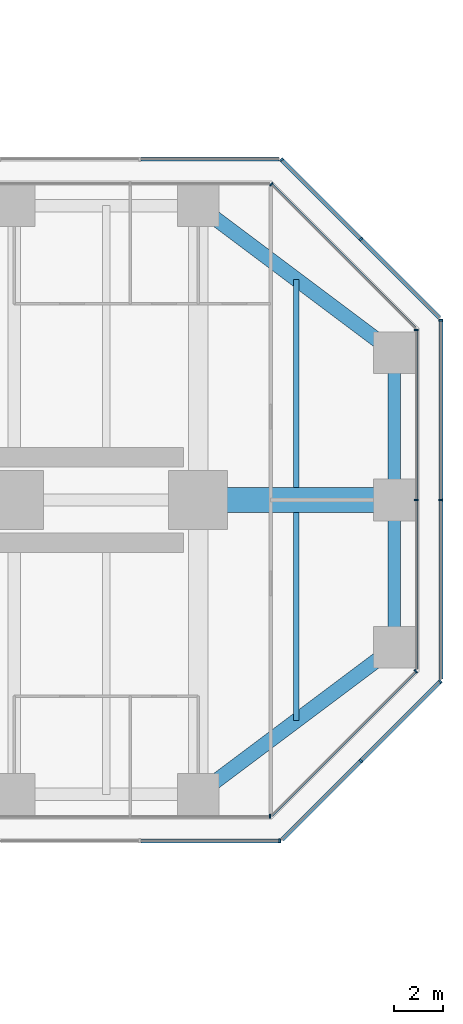
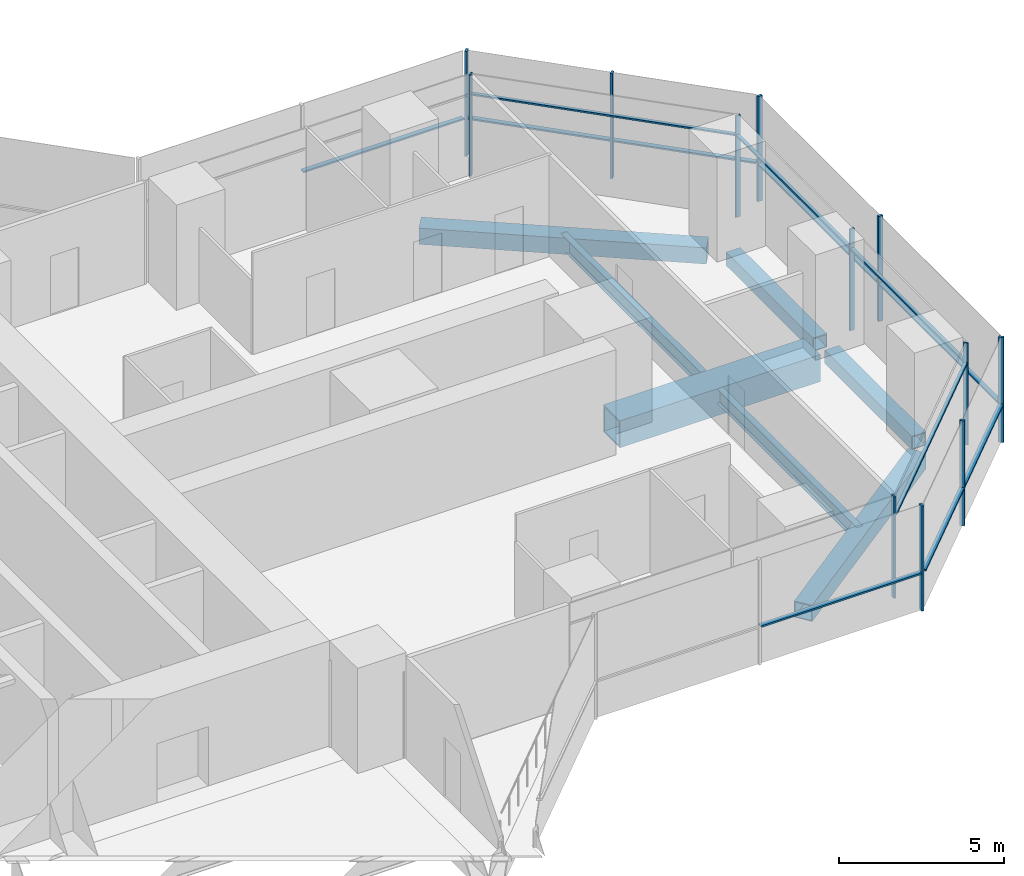
# One storey, part 11 of 20: 24 members, 7 beams, 9 elements without a shape of their own.
"""IFC4 building model written with IfcOpenShell, lengths in metres."""

from ifc_helpers import new_model, si_unit, direction, frame, origin, origin_2d, place, context, subcontext, project, spatial, rectangle, hollow_rectangle, i_section, extrude, material, material_profile, profile_set, type_object, element, aggregate, save


model = new_model("IFC4")

# Units and contexts
model_context = context("Model", 3, precision=1e-05, world=origin(), true_north=direction((0.0, 1.0)))
body_context = subcontext(model_context, "Body", "Model", "MODEL_VIEW")
ifc_project = project(units=[si_unit("LENGTHUNIT", "METRE"), si_unit("AREAUNIT", "SQUARE_METRE"), si_unit("VOLUMEUNIT", "CUBIC_METRE"), si_unit("PLANEANGLEUNIT", "RADIAN"), si_unit("MASSUNIT", "GRAM", prefix="KILO")], contexts=[model_context])

# Site, building, storey
site_placement = place(None, origin())
site = spatial("IfcSite", under=ifc_project, at=site_placement, CompositionType="ELEMENT")
building_placement = place(site_placement, origin())
building = spatial("IfcBuilding", under=site, at=building_placement, Name="Mizan Broadcast Tower", CompositionType="ELEMENT")
storey_placement = place(building_placement, frame((0.0, 0.0, 155.39990234375)))
storey = spatial("IfcBuildingStorey", under=building, at=storey_placement, Name="L35", CompositionType="ELEMENT", Elevation=155.39990234375)

# Beams
ifc_material_1 = material(Name="Steel S355", Category="steel")
ifc_material_profile_1 = material_profile(ifc_material_1, hollow_rectangle(XDim=0.5, YDim=0.5, WallThickness=0.030029296875, at=origin_2d()), Name="BOX 500x500x30")
ifc_profile_set_1 = profile_set([ifc_material_profile_1], Name="Steel S355")
beam_type_1 = type_object("IfcBeamType", Name="EDGE BEAM BOX 500x500x30", PredefinedType="SPANDREL", material=ifc_profile_set_1)
for number, where, z_axis, x_axis, name in (
    (1, (35.0, -5.639892578125, -0.3798828125), (0.0, 1.0, 0.0), (-1.0, 0.0, 0.0), "Edge beam BOX 500x500x30 L35 east arm"),
    (2, (35.0, 5.639892578125, -0.3798828125), (0.0, -1.0, 0.0), (1.0, 0.0, 0.0), "Edge beam BOX 500x500x30 L35 east arm"),
):
    element("IfcBeam", number, at=place(storey_placement, frame(where, z_axis=z_axis, x_axis=x_axis)), inside=storey, type_object=beam_type_1, Name=name, PredefinedType="SPANDREL", context=body_context, shape_type="SweptSolid", body=[
        extrude(hollow_rectangle(XDim=0.5, YDim=0.5, WallThickness=0.030029296875, at=origin_2d()), origin(), (0.0, 0.0, 1.0), 5.27978515625),
    ])
ifc_material_2 = material(Name="Steel S355", Category="steel")
ifc_material_profile_2 = material_profile(ifc_material_2, hollow_rectangle(XDim=0.60009765625, YDim=0.60009765625, WallThickness=0.030029296875, at=origin_2d()), Name="BOX 600x600x30")
ifc_profile_set_2 = profile_set([ifc_material_profile_2], Name="Steel S355")
beam_type_2 = type_object("IfcBeamType", Name="EDGE BEAM BOX 600x600x30", PredefinedType="SPANDREL", material=ifc_profile_set_2)
for number, where, z_axis, x_axis, name in (
    (3, (27.47998046875, -11.639892578125, -0.429931640625), (0.800013316712, 0.599982243973, 0.0), (-0.599982243973, 0.800013316712, 0.0), "Edge beam BOX 600x600x30 L35 east arm"),
    (4, (27.47998046875, 11.639892578125, -0.429931640625), (0.800013316712, -0.599982243973, 0.0), (0.599982243973, 0.800013316712, 0.0), "Edge beam BOX 600x600x30 L35 east arm"),
):
    element("IfcBeam", number, at=place(storey_placement, frame(where, z_axis=z_axis, x_axis=x_axis)), inside=storey, type_object=beam_type_2, Name=name, PredefinedType="SPANDREL", context=body_context, shape_type="SweptSolid", body=[
        extrude(hollow_rectangle(XDim=0.60009765625, YDim=0.60009765625, WallThickness=0.030029296875, at=origin_2d()), origin(), (0.0, 0.0, 1.0), 8.7998046875),
    ])
ifc_material_3 = material(Name="Steel S460", Category="steel")
ifc_material_profile_3 = material_profile(ifc_material_3, hollow_rectangle(XDim=1.0, YDim=1.0, WallThickness=0.06005859375, at=origin_2d()), Name="BOX 1000x1000x60")
ifc_profile_set_3 = profile_set([ifc_material_profile_3], Name="Steel S460")
beam_type_3 = type_object("IfcBeamType", Name="GIRDER BOX 1000x1000x60", PredefinedType="BEAM", material=ifc_profile_set_3)
beam_placement = place(storey_placement, frame((27.47998046875, 0.0, -0.6298828125), z_axis=(1.0, 0.0, 0.0), x_axis=(0.0, 1.0, 0.0)))
element("IfcBeam", 5, at=beam_placement, inside=storey, type_object=beam_type_3, Name="Girder BOX 1000x1000x60 L35 east arm", PredefinedType="BEAM", context=body_context, shape_type="SweptSolid", body=[
    extrude(hollow_rectangle(XDim=1.0, YDim=1.0, WallThickness=0.06005859375, at=origin_2d()), origin(), (0.0, 0.0, 1.0), 7.0400390625),
])

# Curtain wall, member
ifc_material_4 = material(Name="Aluminium framed glazing", Category="aluminium")
curtain_wall_type_1 = type_object("IfcCurtainWallType", Name="INNER SKIN MID ZONE", PredefinedType="USERDEFINED", material=ifc_material_4)
curtain_wall_1_placement = place(storey_placement, origin())
curtain_wall_1 = element("IfcCurtainWall", 6, at=curtain_wall_1_placement, inside=storey, type_object=curtain_wall_type_1, Name="Inner skin mid zone L35 E side", ObjectType="INNER SKIN MID ZONE", PredefinedType="USERDEFINED")
ifc_material_5 = material(Name="Aluminium, pale anodised", Category="aluminium")
ifc_material_profile_4 = material_profile(ifc_material_5, rectangle(XDim=0.159912109375, YDim=0.06005859375, at=origin_2d()), Name="MULLION 160x60")
ifc_profile_set_4 = profile_set([ifc_material_profile_4], Name="Aluminium, pale anodised")
member_type_1 = type_object("IfcMemberType", Name="INNER SKIN MULLION 60x160", PredefinedType="MULLION", material=ifc_profile_set_4)
member_1_placement = place(storey_placement, frame((29.928466796875, -12.89990234375, 0.0), z_axis=(0.0, 0.0, 1.0), x_axis=(0.0, 1.0, 0.0)))
member_1 = element("IfcMember", 7, at=member_1_placement, type_object=member_type_1, Name="Inner skin mid zone L35 E side mullion 3", PredefinedType="MULLION", context=body_context, shape_type="SweptSolid", body=[
    extrude(rectangle(XDim=0.159912109375, YDim=0.06005859375, at=origin_2d()), origin(), (0.0, 0.0, 1.0), 3.77001953125),
])
aggregate(curtain_wall_1, [member_1])

curtain_wall_2_placement = place(storey_placement, origin())
curtain_wall_2 = element("IfcCurtainWall", 8, at=curtain_wall_2_placement, inside=storey, type_object=curtain_wall_type_1, Name="Inner skin mid zone L35 E chamfer", ObjectType="INNER SKIN MID ZONE", PredefinedType="USERDEFINED")
member_2_placement = place(storey_placement, frame((35.87890625, -6.979736328125, 0.0), z_axis=(0.0, 0.0, 1.0), x_axis=(-0.707106781187, 0.707106781187, 0.0)))
member_2 = element("IfcMember", 9, at=member_2_placement, type_object=member_type_1, Name="Inner skin mid zone L35 E chamfer mullion 2", PredefinedType="MULLION", context=body_context, shape_type="SweptSolid", body=[
    extrude(rectangle(XDim=0.159912109375, YDim=0.06005859375, at=origin_2d()), origin(), (0.0, 0.0, 1.0), 3.77001953125),
])

# Curtain wall, members
curtain_wall_3_placement = place(storey_placement, origin())
curtain_wall_3 = element("IfcCurtainWall", 10, at=curtain_wall_3_placement, inside=storey, type_object=curtain_wall_type_1, Name="Inner skin mid zone L35 E end", ObjectType="INNER SKIN MID ZONE", PredefinedType="USERDEFINED")
member_3_placement = place(storey_placement, frame((35.89990234375, 0.0, 0.0), z_axis=(0.0, 0.0, 1.0), x_axis=(-1.0, 0.0, 0.0)))
member_3 = element("IfcMember", 11, at=member_3_placement, type_object=member_type_1, Name="Inner skin mid zone L35 E end mullion 2", PredefinedType="MULLION", context=body_context, shape_type="SweptSolid", body=[
    extrude(rectangle(XDim=0.159912109375, YDim=0.06005859375, at=origin_2d()), origin(), (0.0, 0.0, 1.0), 3.77001953125),
])
member_4_placement = place(storey_placement, frame((35.89990234375, 6.928466796875, 0.0), z_axis=(0.0, 0.0, 1.0), x_axis=(-1.0, 0.0, 0.0)))
member_4 = element("IfcMember", 12, at=member_4_placement, type_object=member_type_1, Name="Inner skin mid zone L35 E end mullion 3", PredefinedType="MULLION", context=body_context, shape_type="SweptSolid", body=[
    extrude(rectangle(XDim=0.159912109375, YDim=0.06005859375, at=origin_2d()), origin(), (0.0, 0.0, 1.0), 3.77001953125),
])

# Curtain wall, member
curtain_wall_4_placement = place(storey_placement, origin())
curtain_wall_4 = element("IfcCurtainWall", 13, at=curtain_wall_4_placement, inside=storey, type_object=curtain_wall_type_1, Name="Inner skin mid zone L35 E chamfer", ObjectType="INNER SKIN MID ZONE", PredefinedType="USERDEFINED")
member_5_placement = place(storey_placement, frame((29.979736328125, 12.87890625, 0.0), z_axis=(0.0, 0.0, 1.0), x_axis=(-0.707106781187, -0.707106781187, 0.0)))
member_5 = element("IfcMember", 14, at=member_5_placement, type_object=member_type_1, Name="Inner skin mid zone L35 E chamfer mullion 2", PredefinedType="MULLION", context=body_context, shape_type="SweptSolid", body=[
    extrude(rectangle(XDim=0.159912109375, YDim=0.06005859375, at=origin_2d()), origin(), (0.0, 0.0, 1.0), 3.77001953125),
])

# Member
ifc_material_6 = material(Name="Aluminium, pale anodised", Category="aluminium")
ifc_material_profile_5 = material_profile(ifc_material_6, rectangle(XDim=0.1201171875, YDim=0.06005859375, at=origin_2d()), Name="TRANSOM 120x60")
ifc_profile_set_5 = profile_set([ifc_material_profile_5], Name="Aluminium, pale anodised")
member_type_2 = type_object("IfcMemberType", Name="INNER SKIN TRANSOM 60x120", PredefinedType="USERDEFINED", material=ifc_profile_set_5)
member_6_placement = place(storey_placement, frame((30.0009765625, -12.857666015625, 3.030029296875), z_axis=(0.707106781187, 0.707106781187, 0.0), x_axis=(-0.707106781187, 0.707106781187, 0.0)))
member_6 = element("IfcMember", 15, at=member_6_placement, type_object=member_type_2, Name="Inner skin mid zone L35 E chamfer transom 1.1", ObjectType="TRANSOM", PredefinedType="USERDEFINED", context=body_context, shape_type="SweptSolid", body=[
    extrude(rectangle(XDim=0.1201171875, YDim=0.06005859375, at=origin_2d()), origin(), (0.0, 0.0, 1.0), 8.28271484375),
])

aggregate(curtain_wall_2, [member_2, member_6])

member_7_placement = place(storey_placement, frame((35.89990234375, -6.898681640625, 3.030029296875), z_axis=(0.0, 1.0, 0.0), x_axis=(-1.0, 0.0, 0.0)))
member_7 = element("IfcMember", 16, at=member_7_placement, type_object=member_type_2, Name="Inner skin mid zone L35 E end transom 1.1", ObjectType="TRANSOM", PredefinedType="USERDEFINED", context=body_context, shape_type="SweptSolid", body=[
    extrude(rectangle(XDim=0.1201171875, YDim=0.06005859375, at=origin_2d()), origin(), (0.0, 0.0, 1.0), 6.86865234375),
])

member_8_placement = place(storey_placement, frame((35.89990234375, 0.030029296875, 3.030029296875), z_axis=(0.0, 1.0, 0.0), x_axis=(-1.0, 0.0, 0.0)))
member_8 = element("IfcMember", 17, at=member_8_placement, type_object=member_type_2, Name="Inner skin mid zone L35 E end transom 2.1", ObjectType="TRANSOM", PredefinedType="USERDEFINED", context=body_context, shape_type="SweptSolid", body=[
    extrude(rectangle(XDim=0.1201171875, YDim=0.06005859375, at=origin_2d()), origin(), (0.0, 0.0, 1.0), 6.86865234375),
])

aggregate(curtain_wall_3, [member_3, member_4, member_7, member_8])

member_9_placement = place(storey_placement, frame((35.857666015625, 7.0009765625, 3.030029296875), z_axis=(-0.707106781187, 0.707106781187, 0.0), x_axis=(-0.707106781187, -0.707106781187, 0.0)))
member_9 = element("IfcMember", 18, at=member_9_placement, type_object=member_type_2, Name="Inner skin mid zone L35 E chamfer transom 1.1", ObjectType="TRANSOM", PredefinedType="USERDEFINED", context=body_context, shape_type="SweptSolid", body=[
    extrude(rectangle(XDim=0.1201171875, YDim=0.06005859375, at=origin_2d()), origin(), (0.0, 0.0, 1.0), 8.28271484375),
])

aggregate(curtain_wall_4, [member_5, member_9])

# Curtain wall, members
ifc_material_7 = material(Name="Aluminium framed glazing", Category="aluminium")
curtain_wall_type_2 = type_object("IfcCurtainWallType", Name="OUTER SKIN", PredefinedType="USERDEFINED", material=ifc_material_7)
curtain_wall_5_placement = place(storey_placement, origin())
curtain_wall_5 = element("IfcCurtainWall", 19, at=curtain_wall_5_placement, inside=storey, type_object=curtain_wall_type_2, Name="Outer skin L35 E chamfer", ObjectType="OUTER SKIN", PredefinedType="USERDEFINED")
ifc_material_8 = material(Name="Aluminium, pale anodised", Category="aluminium")
ifc_material_profile_6 = material_profile(ifc_material_8, rectangle(XDim=0.159912109375, YDim=0.080078125, at=origin_2d()), Name="MULLION 160x80")
ifc_profile_set_6 = profile_set([ifc_material_profile_6], Name="Aluminium, pale anodised")
member_type_3 = type_object("IfcMemberType", Name="OUTER SKIN MULLION 80x160", PredefinedType="MULLION", material=ifc_profile_set_6)
member_10_placement = place(storey_placement, frame((33.636474609375, -10.636474609375, 0.0), z_axis=(0.0, 0.0, 1.0), x_axis=(-0.707106781187, 0.707106781187, 0.0)))
member_10 = element("IfcMember", 20, at=member_10_placement, type_object=member_type_3, Name="Outer skin L35 E chamfer mullion 2", PredefinedType="MULLION", context=body_context, shape_type="SweptSolid", body=[
    extrude(rectangle(XDim=0.159912109375, YDim=0.080078125, at=origin_2d()), origin(), (0.0, 0.0, 1.0), 3.900146484375),
])
member_11_placement = place(storey_placement, frame((36.871826171875, -7.401123046875, 0.0), z_axis=(0.0, 0.0, 1.0), x_axis=(-0.707106781187, 0.707106781187, 0.0)))
member_11 = element("IfcMember", 21, at=member_11_placement, type_object=member_type_3, Name="Outer skin L35 E chamfer mullion 3", PredefinedType="MULLION", context=body_context, shape_type="SweptSolid", body=[
    extrude(rectangle(XDim=0.159912109375, YDim=0.080078125, at=origin_2d()), origin(), (0.0, 0.0, 1.0), 3.900146484375),
])

curtain_wall_6_placement = place(storey_placement, origin())
curtain_wall_6 = element("IfcCurtainWall", 22, at=curtain_wall_6_placement, inside=storey, type_object=curtain_wall_type_2, Name="Outer skin L35 E end", ObjectType="OUTER SKIN", PredefinedType="USERDEFINED")
member_12_placement = place(storey_placement, frame((36.89990234375, 0.0, 0.0), z_axis=(0.0, 0.0, 1.0), x_axis=(-1.0, 0.0, 0.0)))
member_12 = element("IfcMember", 23, at=member_12_placement, type_object=member_type_3, Name="Outer skin L35 E end mullion 2", PredefinedType="MULLION", context=body_context, shape_type="SweptSolid", body=[
    extrude(rectangle(XDim=0.159912109375, YDim=0.080078125, at=origin_2d()), origin(), (0.0, 0.0, 1.0), 3.900146484375),
])
member_13_placement = place(storey_placement, frame((36.89990234375, 7.332763671875, 0.0), z_axis=(0.0, 0.0, 1.0), x_axis=(-1.0, 0.0, 0.0)))
member_13 = element("IfcMember", 24, at=member_13_placement, type_object=member_type_3, Name="Outer skin L35 E end mullion 3", PredefinedType="MULLION", context=body_context, shape_type="SweptSolid", body=[
    extrude(rectangle(XDim=0.159912109375, YDim=0.080078125, at=origin_2d()), origin(), (0.0, 0.0, 1.0), 3.900146484375),
])

curtain_wall_7_placement = place(storey_placement, origin())
curtain_wall_7 = element("IfcCurtainWall", 25, at=curtain_wall_7_placement, inside=storey, type_object=curtain_wall_type_2, Name="Outer skin L35 E chamfer", ObjectType="OUTER SKIN", PredefinedType="USERDEFINED")
member_14_placement = place(storey_placement, frame((33.636474609375, 10.636474609375, 0.0), z_axis=(0.0, 0.0, 1.0), x_axis=(-0.707106781187, -0.707106781187, 0.0)))
member_14 = element("IfcMember", 26, at=member_14_placement, type_object=member_type_3, Name="Outer skin L35 E chamfer mullion 2", PredefinedType="MULLION", context=body_context, shape_type="SweptSolid", body=[
    extrude(rectangle(XDim=0.159912109375, YDim=0.080078125, at=origin_2d()), origin(), (0.0, 0.0, 1.0), 3.900146484375),
])
member_15_placement = place(storey_placement, frame((30.401123046875, 13.871826171875, 0.0), z_axis=(0.0, 0.0, 1.0), x_axis=(-0.707106781187, -0.707106781187, 0.0)))
member_15 = element("IfcMember", 27, at=member_15_placement, type_object=member_type_3, Name="Outer skin L35 E chamfer mullion 3", PredefinedType="MULLION", context=body_context, shape_type="SweptSolid", body=[
    extrude(rectangle(XDim=0.159912109375, YDim=0.080078125, at=origin_2d()), origin(), (0.0, 0.0, 1.0), 3.900146484375),
])

# Curtain wall, member
curtain_wall_8_placement = place(storey_placement, origin())
curtain_wall_8 = element("IfcCurtainWall", 28, at=curtain_wall_8_placement, inside=storey, type_object=curtain_wall_type_2, Name="Outer skin L35 E side", ObjectType="OUTER SKIN", PredefinedType="USERDEFINED")
member_16_placement = place(storey_placement, frame((30.332763671875, -13.89990234375, 0.0), z_axis=(0.0, 0.0, 1.0), x_axis=(0.0, 1.0, 0.0)))
member_16 = element("IfcMember", 29, at=member_16_placement, type_object=member_type_3, Name="Outer skin L35 E side mullion 3", PredefinedType="MULLION", context=body_context, shape_type="SweptSolid", body=[
    extrude(rectangle(XDim=0.159912109375, YDim=0.080078125, at=origin_2d()), origin(), (0.0, 0.0, 1.0), 3.900146484375),
])

# Member
ifc_material_9 = material(Name="Aluminium, pale anodised", Category="aluminium")
ifc_material_profile_7 = material_profile(ifc_material_9, rectangle(XDim=0.159912109375, YDim=0.06005859375, at=origin_2d()), Name="TRANSOM 160x60")
ifc_profile_set_7 = profile_set([ifc_material_profile_7], Name="Aluminium, pale anodised")
member_type_4 = type_object("IfcMemberType", Name="OUTER SKIN TRANSOM 60x160", PredefinedType="USERDEFINED", material=ifc_profile_set_7)
member_17_placement = place(storey_placement, frame((30.429443359375, -13.843505859375, 1.400146484375), z_axis=(0.707106781187, 0.707106781187, 0.0), x_axis=(-0.707106781187, 0.707106781187, 0.0)))
member_17 = element("IfcMember", 30, at=member_17_placement, type_object=member_type_4, Name="Outer skin L35 E chamfer transom 1.1", ObjectType="TRANSOM", PredefinedType="USERDEFINED", context=body_context, shape_type="SweptSolid", body=[
    extrude(rectangle(XDim=0.159912109375, YDim=0.06005859375, at=origin_2d()), origin(), (0.0, 0.0, 1.0), 4.495361328125),
])

member_18_placement = place(storey_placement, frame((33.664794921875, -10.608154296875, 1.400146484375), z_axis=(0.707106781187, 0.707106781187, 0.0), x_axis=(-0.707106781187, 0.707106781187, 0.0)))
member_18 = element("IfcMember", 31, at=member_18_placement, type_object=member_type_4, Name="Outer skin L35 E chamfer transom 2.1", ObjectType="TRANSOM", PredefinedType="USERDEFINED", context=body_context, shape_type="SweptSolid", body=[
    extrude(rectangle(XDim=0.159912109375, YDim=0.06005859375, at=origin_2d()), origin(), (0.0, 0.0, 1.0), 4.495361328125),
])

aggregate(curtain_wall_5, [member_10, member_11, member_17, member_18])

member_19_placement = place(storey_placement, frame((36.89990234375, -7.292724609375, 1.400146484375), z_axis=(0.0, 1.0, 0.0), x_axis=(-1.0, 0.0, 0.0)))
member_19 = element("IfcMember", 32, at=member_19_placement, type_object=member_type_4, Name="Outer skin L35 E end transom 1.1", ObjectType="TRANSOM", PredefinedType="USERDEFINED", context=body_context, shape_type="SweptSolid", body=[
    extrude(rectangle(XDim=0.159912109375, YDim=0.06005859375, at=origin_2d()), origin(), (0.0, 0.0, 1.0), 7.252685546875),
])

member_20_placement = place(storey_placement, frame((36.89990234375, 0.0400390625, 1.400146484375), z_axis=(0.0, 1.0, 0.0), x_axis=(-1.0, 0.0, 0.0)))
member_20 = element("IfcMember", 33, at=member_20_placement, type_object=member_type_4, Name="Outer skin L35 E end transom 2.1", ObjectType="TRANSOM", PredefinedType="USERDEFINED", context=body_context, shape_type="SweptSolid", body=[
    extrude(rectangle(XDim=0.159912109375, YDim=0.06005859375, at=origin_2d()), origin(), (0.0, 0.0, 1.0), 7.252685546875),
])

aggregate(curtain_wall_6, [member_12, member_13, member_19, member_20])

member_21_placement = place(storey_placement, frame((36.843505859375, 7.429443359375, 1.400146484375), z_axis=(-0.707106781187, 0.707106781187, 0.0), x_axis=(-0.707106781187, -0.707106781187, 0.0)))
member_21 = element("IfcMember", 34, at=member_21_placement, type_object=member_type_4, Name="Outer skin L35 E chamfer transom 1.1", ObjectType="TRANSOM", PredefinedType="USERDEFINED", context=body_context, shape_type="SweptSolid", body=[
    extrude(rectangle(XDim=0.159912109375, YDim=0.06005859375, at=origin_2d()), origin(), (0.0, 0.0, 1.0), 4.495361328125),
])

member_22_placement = place(storey_placement, frame((33.608154296875, 10.664794921875, 1.400146484375), z_axis=(-0.707106781187, 0.707106781187, 0.0), x_axis=(-0.707106781187, -0.707106781187, 0.0)))
member_22 = element("IfcMember", 35, at=member_22_placement, type_object=member_type_4, Name="Outer skin L35 E chamfer transom 2.1", ObjectType="TRANSOM", PredefinedType="USERDEFINED", context=body_context, shape_type="SweptSolid", body=[
    extrude(rectangle(XDim=0.159912109375, YDim=0.06005859375, at=origin_2d()), origin(), (0.0, 0.0, 1.0), 4.495361328125),
])

aggregate(curtain_wall_7, [member_14, member_15, member_21, member_22])

# Curtain wall, member
curtain_wall_9_placement = place(storey_placement, origin())
curtain_wall_9 = element("IfcCurtainWall", 36, at=curtain_wall_9_placement, inside=storey, type_object=curtain_wall_type_2, Name="Outer skin L35 E side", ObjectType="OUTER SKIN", PredefinedType="USERDEFINED")
member_23_placement = place(storey_placement, frame((30.292724609375, 13.89990234375, 1.400146484375), z_axis=(-1.0, 0.0, 0.0), x_axis=(0.0, -1.0, 0.0)))
member_23 = element("IfcMember", 37, at=member_23_placement, type_object=member_type_4, Name="Outer skin L35 E side transom 1.1", ObjectType="TRANSOM", PredefinedType="USERDEFINED", context=body_context, shape_type="SweptSolid", body=[
    extrude(rectangle(XDim=0.159912109375, YDim=0.06005859375, at=origin_2d()), origin(), (0.0, 0.0, 1.0), 5.6298828125),
])
aggregate(curtain_wall_9, [member_23])

# Member
member_24_placement = place(storey_placement, frame((24.662841796875, -13.89990234375, 1.400146484375), z_axis=(1.0, 0.0, 0.0), x_axis=(0.0, 1.0, 0.0)))
member_24 = element("IfcMember", 38, at=member_24_placement, type_object=member_type_4, Name="Outer skin L35 E side transom 2.1", ObjectType="TRANSOM", PredefinedType="USERDEFINED", context=body_context, shape_type="SweptSolid", body=[
    extrude(rectangle(XDim=0.159912109375, YDim=0.06005859375, at=origin_2d()), origin(), (0.0, 0.0, 1.0), 5.6298828125),
])

aggregate(curtain_wall_8, [member_16, member_24])

# Beams
ifc_material_10 = material(Name="Steel S355", Category="steel")
ifc_material_profile_8 = material_profile(ifc_material_10, i_section(OverallWidth=0.2099609375, OverallDepth=0.550048828125, WebThickness=0.010986328125, FlangeThickness=0.01708984375, FilletRadius=0.02392578125, at=origin_2d()), Name="IPE 550")
ifc_profile_set_8 = profile_set([ifc_material_profile_8], Name="Steel S355")
beam_type_4 = type_object("IfcBeamType", Name="SECONDARY BEAM IPE 550", PredefinedType="JOIST", material=ifc_profile_set_8)
for number, where, z_axis, x_axis, name in (
    (39, (31.0, -9.0, -0.40478515625), (0.0, 1.0, 0.0), (-1.0, 0.0, 0.0), "Secondary beam IPE 550 L35 east arm"),
    (40, (31.0, 9.0, -0.40478515625), (0.0, -1.0, 0.0), (1.0, 0.0, 0.0), "Secondary beam IPE 550 L35 east arm"),
):
    element("IfcBeam", number, at=place(storey_placement, frame(where, z_axis=z_axis, x_axis=x_axis)), inside=storey, type_object=beam_type_4, Name=name, PredefinedType="JOIST", context=body_context, shape_type="SweptSolid", body=[
        extrude(i_section(OverallWidth=0.2099609375, OverallDepth=0.550048828125, WebThickness=0.010986328125, FlangeThickness=0.01708984375, FilletRadius=0.02392578125, at=origin_2d()), origin(), (0.0, 0.0, 1.0), 8.5),
    ])

save(model, "model.ifc")
